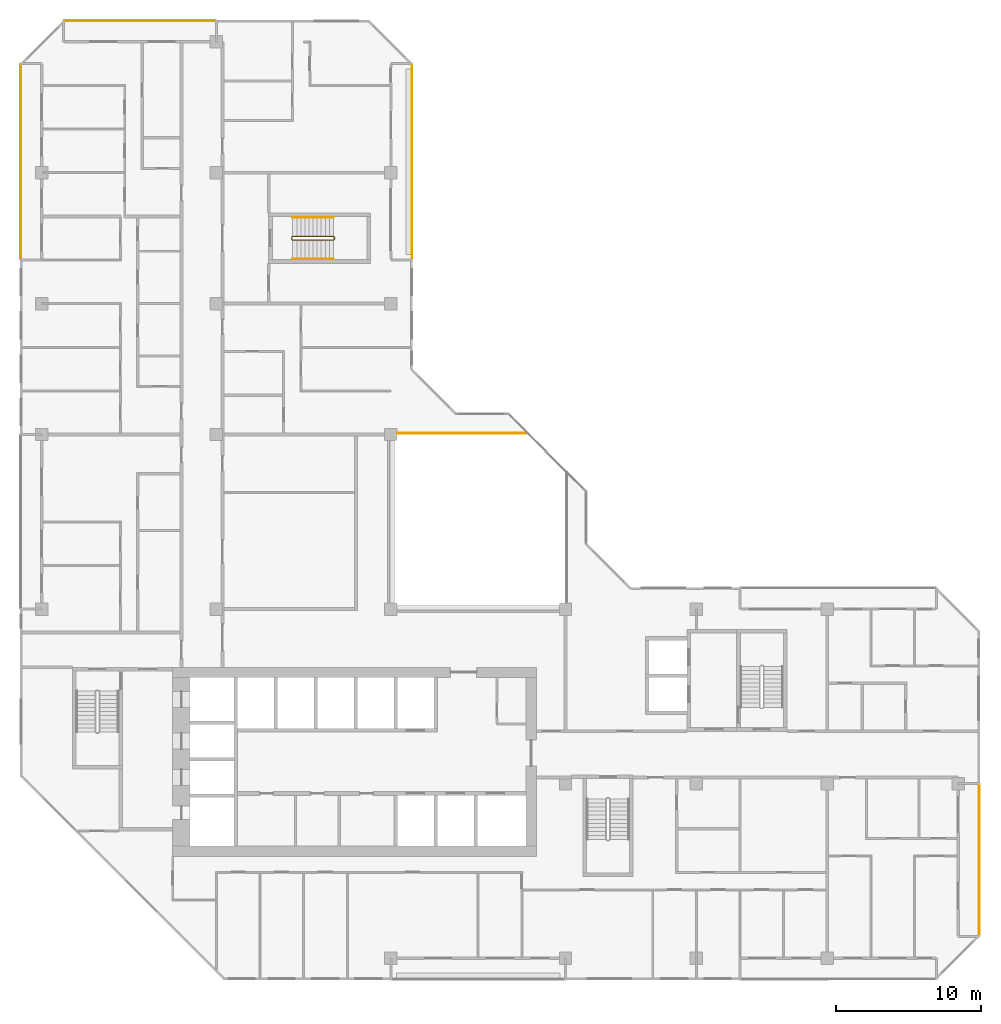
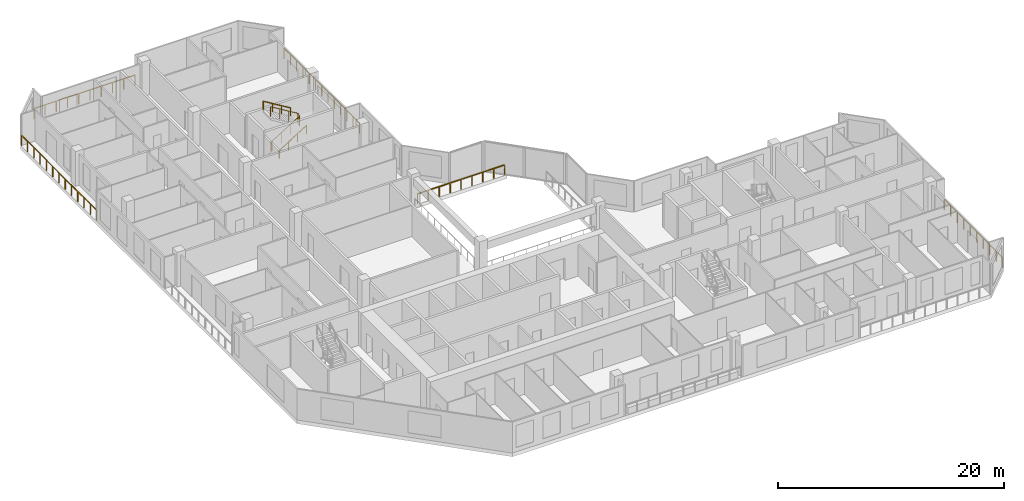
# One storey, part 16 of 16: 8 railings.
"""IFC4 building model written with IfcOpenShell, lengths in metres."""

from ifc_helpers import new_model, si_unit, direction, frame, origin, origin_2d, place, context, subcontext, project, spatial, rectangle, extrude, material, type_object, element, save


model = new_model("IFC4")

# Units and contexts
model_context = context("Model", 3, precision=1e-05, world=origin(), true_north=direction((0.0, 1.0)))
body_context = subcontext(model_context, "Body", "Model", "MODEL_VIEW")
ifc_project = project(units=[si_unit("LENGTHUNIT", "METRE"), si_unit("AREAUNIT", "SQUARE_METRE"), si_unit("VOLUMEUNIT", "CUBIC_METRE"), si_unit("PLANEANGLEUNIT", "RADIAN"), si_unit("MASSUNIT", "GRAM", prefix="KILO")], contexts=[model_context])

# Site, building, storey
site_placement = place(None, origin())
site = spatial("IfcSite", under=ifc_project, at=site_placement, CompositionType="ELEMENT")
building_placement = place(site_placement, origin())
building = spatial("IfcBuilding", under=site, at=building_placement, Name="Chenar Terraces", CompositionType="ELEMENT")
storey_placement = place(building_placement, frame((0.0, 0.0, 222.89990234375)))
storey = spatial("IfcBuildingStorey", under=building, at=storey_placement, Name="L52", CompositionType="ELEMENT", Elevation=222.89990234375)

# Railings
ifc_material_1 = material(Name="Powder-coated steel", Category="steel")
railing_type_1 = type_object("IfcRailingType", Name="Guard 1100 steel rail with glass infill", PredefinedType="GUARDRAIL", material=ifc_material_1)
railing_1_placement = place(storey_placement, frame((24.47509765625, 36.10009765625, 0.0)))
element("IfcRailing", 1, at=railing_1_placement, inside=storey, type_object=railing_type_1, Name="Guard L52-2", PredefinedType="GUARDRAIL", context=body_context, shape_type="SweptSolid", body=[
    extrude(rectangle(XDim=0.06005859375, YDim=0.06005859375, at=origin_2d()), frame((0.0, 0.0, 1.070068359375), z_axis=(1.0, 0.0, 0.0), x_axis=(0.0, 1.0, 0.0)), (0.0, 0.0, 1.0), 8.9248046875),
    extrude(rectangle(XDim=0.050048828125, YDim=0.050048828125, at=origin_2d()), origin(), (0.0, 0.0, 1.0), 1.0400390625),
    extrude(rectangle(XDim=0.050048828125, YDim=0.050048828125, at=origin_2d()), frame((1.11572265625, 0.0, 0.0)), (0.0, 0.0, 1.0), 1.0400390625),
    extrude(rectangle(XDim=0.050048828125, YDim=0.050048828125, at=origin_2d()), frame((2.231201171875, 0.0, 0.0)), (0.0, 0.0, 1.0), 1.0400390625),
    extrude(rectangle(XDim=0.050048828125, YDim=0.050048828125, at=origin_2d()), frame((3.3466796875, 0.0, 0.0)), (0.0, 0.0, 1.0), 1.0400390625),
    extrude(rectangle(XDim=0.050048828125, YDim=0.050048828125, at=origin_2d()), frame((4.46240234375, 0.0, 0.0)), (0.0, 0.0, 1.0), 1.0400390625),
    extrude(rectangle(XDim=0.050048828125, YDim=0.050048828125, at=origin_2d()), frame((5.578125, 0.0, 0.0)), (0.0, 0.0, 1.0), 1.0400390625),
    extrude(rectangle(XDim=0.050048828125, YDim=0.050048828125, at=origin_2d()), frame((6.693603515625, 0.0, 0.0)), (0.0, 0.0, 1.0), 1.0400390625),
    extrude(rectangle(XDim=0.050048828125, YDim=0.050048828125, at=origin_2d()), frame((7.80908203125, 0.0, 0.0)), (0.0, 0.0, 1.0), 1.0400390625),
    extrude(rectangle(XDim=0.050048828125, YDim=0.050048828125, at=origin_2d()), frame((8.9248046875, 0.0, 0.0)), (0.0, 0.0, 1.0), 1.0400390625),
])
ifc_material_2 = material(Name="Stainless steel and glass", Category="steel")
railing_type_2 = type_object("IfcRailingType", Name="Loggia guard 1150", PredefinedType="GUARDRAIL", material=ifc_material_2)
railing_2_placement = place(storey_placement, frame((25.449951171875, 48.074951171875, 0.0)))
element("IfcRailing", 2, at=railing_2_placement, inside=storey, type_object=railing_type_2, Name="Loggia guard", PredefinedType="GUARDRAIL", context=body_context, shape_type="SweptSolid", body=[
    extrude(rectangle(XDim=0.048095703125, YDim=0.048095703125, at=origin_2d()), frame((0.0, 0.0, 1.1259765625), z_axis=(0.0, 1.0, 0.0), x_axis=(-1.0, 0.0, 0.0)), (0.0, 0.0, 1.0), 13.35009765625),
    extrude(rectangle(XDim=0.0419921875, YDim=0.0419921875, at=origin_2d()), origin(), (0.0, 0.0, 1.0), 1.101806640625),
    extrude(rectangle(XDim=0.0419921875, YDim=0.0419921875, at=origin_2d()), frame((0.0, 1.112548828125, 0.0)), (0.0, 0.0, 1.0), 1.101806640625),
    extrude(rectangle(XDim=0.0419921875, YDim=0.0419921875, at=origin_2d()), frame((0.0, 2.22509765625, 0.0)), (0.0, 0.0, 1.0), 1.101806640625),
    extrude(rectangle(XDim=0.0419921875, YDim=0.0419921875, at=origin_2d()), frame((0.0, 3.33740234375, 0.0)), (0.0, 0.0, 1.0), 1.101806640625),
    extrude(rectangle(XDim=0.0419921875, YDim=0.0419921875, at=origin_2d()), frame((0.0, 4.449951171875, 0.0)), (0.0, 0.0, 1.0), 1.101806640625),
    extrude(rectangle(XDim=0.0419921875, YDim=0.0419921875, at=origin_2d()), frame((0.0, 5.5625, 0.0)), (0.0, 0.0, 1.0), 1.101806640625),
    extrude(rectangle(XDim=0.0419921875, YDim=0.0419921875, at=origin_2d()), frame((0.0, 6.675048828125, 0.0)), (0.0, 0.0, 1.0), 1.101806640625),
    extrude(rectangle(XDim=0.0419921875, YDim=0.0419921875, at=origin_2d()), frame((0.0, 7.78759765625, 0.0)), (0.0, 0.0, 1.0), 1.101806640625),
    extrude(rectangle(XDim=0.0419921875, YDim=0.0419921875, at=origin_2d()), frame((0.0, 8.900146484375, 0.0)), (0.0, 0.0, 1.0), 1.101806640625),
    extrude(rectangle(XDim=0.0419921875, YDim=0.0419921875, at=origin_2d()), frame((0.0, 10.0126953125, 0.0)), (0.0, 0.0, 1.0), 1.101806640625),
    extrude(rectangle(XDim=0.0419921875, YDim=0.0419921875, at=origin_2d()), frame((0.0, 11.125, 0.0)), (0.0, 0.0, 1.0), 1.101806640625),
    extrude(rectangle(XDim=0.0419921875, YDim=0.0419921875, at=origin_2d()), frame((0.0, 12.237548828125, 0.0)), (0.0, 0.0, 1.0), 1.101806640625),
    extrude(rectangle(XDim=0.0419921875, YDim=0.0419921875, at=origin_2d()), frame((0.0, 13.35009765625, 0.0)), (0.0, 0.0, 1.0), 1.101806640625),
])
railing_3_placement = place(storey_placement, frame((64.449951171875, 1.574951171875, 0.0)))
element("IfcRailing", 3, at=railing_3_placement, inside=storey, type_object=railing_type_2, Name="Loggia guard", PredefinedType="GUARDRAIL", context=body_context, shape_type="SweptSolid", body=[
    extrude(rectangle(XDim=0.048095703125, YDim=0.048095703125, at=origin_2d()), frame((0.0, 0.0, 1.1259765625), z_axis=(0.0, 1.0, 0.0), x_axis=(-1.0, 0.0, 0.0)), (0.0, 0.0, 1.0), 10.35009765625),
    extrude(rectangle(XDim=0.0419921875, YDim=0.0419921875, at=origin_2d()), origin(), (0.0, 0.0, 1.0), 1.101806640625),
    extrude(rectangle(XDim=0.0419921875, YDim=0.0419921875, at=origin_2d()), frame((0.0, 1.14990234375, 0.0)), (0.0, 0.0, 1.0), 1.101806640625),
    extrude(rectangle(XDim=0.0419921875, YDim=0.0419921875, at=origin_2d()), frame((0.0, 2.300048828125, 0.0)), (0.0, 0.0, 1.0), 1.101806640625),
    extrude(rectangle(XDim=0.0419921875, YDim=0.0419921875, at=origin_2d()), frame((0.0, 3.449951171875, 0.0)), (0.0, 0.0, 1.0), 1.101806640625),
    extrude(rectangle(XDim=0.0419921875, YDim=0.0419921875, at=origin_2d()), frame((0.0, 4.60009765625, 0.0)), (0.0, 0.0, 1.0), 1.101806640625),
    extrude(rectangle(XDim=0.0419921875, YDim=0.0419921875, at=origin_2d()), frame((0.0, 5.75, 0.0)), (0.0, 0.0, 1.0), 1.101806640625),
    extrude(rectangle(XDim=0.0419921875, YDim=0.0419921875, at=origin_2d()), frame((0.0, 6.900146484375, 0.0)), (0.0, 0.0, 1.0), 1.101806640625),
    extrude(rectangle(XDim=0.0419921875, YDim=0.0419921875, at=origin_2d()), frame((0.0, 8.050048828125, 0.0)), (0.0, 0.0, 1.0), 1.101806640625),
    extrude(rectangle(XDim=0.0419921875, YDim=0.0419921875, at=origin_2d()), frame((0.0, 9.2001953125, 0.0)), (0.0, 0.0, 1.0), 1.101806640625),
    extrude(rectangle(XDim=0.0419921875, YDim=0.0419921875, at=origin_2d()), frame((0.0, 10.35009765625, 0.0)), (0.0, 0.0, 1.0), 1.101806640625),
])
railing_4_placement = place(storey_placement, frame((11.925048828125, 64.449951171875, 0.0)))
element("IfcRailing", 4, at=railing_4_placement, inside=storey, type_object=railing_type_2, Name="Loggia guard", PredefinedType="GUARDRAIL", context=body_context, shape_type="SweptSolid", body=[
    extrude(rectangle(XDim=0.048095703125, YDim=0.048095703125, at=origin_2d()), frame((0.0, 0.0, 1.1259765625), z_axis=(-1.0, 0.0, 0.0), x_axis=(0.0, -1.0, 0.0)), (0.0, 0.0, 1.0), 10.35009765625),
    extrude(rectangle(XDim=0.0419921875, YDim=0.0419921875, at=origin_2d()), origin(), (0.0, 0.0, 1.0), 1.101806640625),
    extrude(rectangle(XDim=0.0419921875, YDim=0.0419921875, at=origin_2d()), frame((-1.14990234375, 0.0, 0.0)), (0.0, 0.0, 1.0), 1.101806640625),
    extrude(rectangle(XDim=0.0419921875, YDim=0.0419921875, at=origin_2d()), frame((-2.300048828125, 0.0, 0.0)), (0.0, 0.0, 1.0), 1.101806640625),
    extrude(rectangle(XDim=0.0419921875, YDim=0.0419921875, at=origin_2d()), frame((-3.449951171875, 0.0, 0.0)), (0.0, 0.0, 1.0), 1.101806640625),
    extrude(rectangle(XDim=0.0419921875, YDim=0.0419921875, at=origin_2d()), frame((-4.60009765625, 0.0, 0.0)), (0.0, 0.0, 1.0), 1.101806640625),
    extrude(rectangle(XDim=0.0419921875, YDim=0.0419921875, at=origin_2d()), frame((-5.75, 0.0, 0.0)), (0.0, 0.0, 1.0), 1.101806640625),
    extrude(rectangle(XDim=0.0419921875, YDim=0.0419921875, at=origin_2d()), frame((-6.900146484375, 0.0, 0.0)), (0.0, 0.0, 1.0), 1.101806640625),
    extrude(rectangle(XDim=0.0419921875, YDim=0.0419921875, at=origin_2d()), frame((-8.050048828125, 0.0, 0.0)), (0.0, 0.0, 1.0), 1.101806640625),
    extrude(rectangle(XDim=0.0419921875, YDim=0.0419921875, at=origin_2d()), frame((-9.2001953125, 0.0, 0.0)), (0.0, 0.0, 1.0), 1.101806640625),
    extrude(rectangle(XDim=0.0419921875, YDim=0.0419921875, at=origin_2d()), frame((-10.35009765625, 0.0, 0.0)), (0.0, 0.0, 1.0), 1.101806640625),
])
railing_5_placement = place(storey_placement, frame((-1.449951171875, 61.425048828125, 0.0)))
element("IfcRailing", 5, at=railing_5_placement, inside=storey, type_object=railing_type_2, Name="Loggia guard", PredefinedType="GUARDRAIL", context=body_context, shape_type="SweptSolid", body=[
    extrude(rectangle(XDim=0.048095703125, YDim=0.048095703125, at=origin_2d()), frame((0.0, 0.0, 1.1259765625), z_axis=(0.0, -1.0, 0.0), x_axis=(1.0, 0.0, 0.0)), (0.0, 0.0, 1.0), 13.35009765625),
    extrude(rectangle(XDim=0.0419921875, YDim=0.0419921875, at=origin_2d()), origin(), (0.0, 0.0, 1.0), 1.101806640625),
    extrude(rectangle(XDim=0.0419921875, YDim=0.0419921875, at=origin_2d()), frame((0.0, -1.112548828125, 0.0)), (0.0, 0.0, 1.0), 1.101806640625),
    extrude(rectangle(XDim=0.0419921875, YDim=0.0419921875, at=origin_2d()), frame((0.0, -2.22509765625, 0.0)), (0.0, 0.0, 1.0), 1.101806640625),
    extrude(rectangle(XDim=0.0419921875, YDim=0.0419921875, at=origin_2d()), frame((0.0, -3.33740234375, 0.0)), (0.0, 0.0, 1.0), 1.101806640625),
    extrude(rectangle(XDim=0.0419921875, YDim=0.0419921875, at=origin_2d()), frame((0.0, -4.449951171875, 0.0)), (0.0, 0.0, 1.0), 1.101806640625),
    extrude(rectangle(XDim=0.0419921875, YDim=0.0419921875, at=origin_2d()), frame((0.0, -5.5625, 0.0)), (0.0, 0.0, 1.0), 1.101806640625),
    extrude(rectangle(XDim=0.0419921875, YDim=0.0419921875, at=origin_2d()), frame((0.0, -6.675048828125, 0.0)), (0.0, 0.0, 1.0), 1.101806640625),
    extrude(rectangle(XDim=0.0419921875, YDim=0.0419921875, at=origin_2d()), frame((0.0, -7.78759765625, 0.0)), (0.0, 0.0, 1.0), 1.101806640625),
    extrude(rectangle(XDim=0.0419921875, YDim=0.0419921875, at=origin_2d()), frame((0.0, -8.900146484375, 0.0)), (0.0, 0.0, 1.0), 1.101806640625),
    extrude(rectangle(XDim=0.0419921875, YDim=0.0419921875, at=origin_2d()), frame((0.0, -10.0126953125, 0.0)), (0.0, 0.0, 1.0), 1.101806640625),
    extrude(rectangle(XDim=0.0419921875, YDim=0.0419921875, at=origin_2d()), frame((0.0, -11.125, 0.0)), (0.0, 0.0, 1.0), 1.101806640625),
    extrude(rectangle(XDim=0.0419921875, YDim=0.0419921875, at=origin_2d()), frame((0.0, -12.237548828125, 0.0)), (0.0, 0.0, 1.0), 1.101806640625),
    extrude(rectangle(XDim=0.0419921875, YDim=0.0419921875, at=origin_2d()), frame((0.0, -13.35009765625, 0.0)), (0.0, 0.0, 1.0), 1.101806640625),
])
ifc_material_3 = material(Name="Powder-coated steel", Category="steel")
railing_type_3 = type_object("IfcRailingType", Name="Stair guard 1100", PredefinedType="GUARDRAIL", material=ifc_material_3)
railing_6_placement = place(storey_placement, frame((17.25, 49.625, 3.75)))
element("IfcRailing", 6, at=railing_6_placement, inside=storey, type_object=railing_type_3, Name="L52 ST4 stair guard 1", PredefinedType="GUARDRAIL", context=body_context, shape_type="SweptSolid", body=[
    extrude(rectangle(XDim=0.048095703125, YDim=0.048095703125, at=origin_2d()), frame((0.0, 0.0, 1.076171875), z_axis=(0.854202870247, 0.0, -0.519939858505), x_axis=(0.0, 1.0, 0.0)), (0.0, 0.0, 1.0), 3.278076171875),
    extrude(rectangle(XDim=0.048095703125, YDim=0.048095703125, at=origin_2d()), frame((2.800048828125, 0.0, -0.62841796875), z_axis=(0.270899902878, -0.270899902878, -0.923702595667), x_axis=(0.707106781187, 0.707106781187, 0.0)), (0.0, 0.0, 1.0), 0.184814453125),
    extrude(rectangle(XDim=0.048095703125, YDim=0.048095703125, at=origin_2d()), frame((2.85009765625, -0.050048828125, -0.798828125), z_axis=(0.0, -1.0, 0.0), x_axis=(1.0, 0.0, 0.0)), (0.0, 0.0, 1.0), 0.14990234375),
    extrude(rectangle(XDim=0.048095703125, YDim=0.048095703125, at=origin_2d()), frame((2.85009765625, -0.199951171875, -0.798828125), z_axis=(-0.707106781187, -0.707106781187, 0.0), x_axis=(0.707106781187, -0.707106781187, 0.0)), (0.0, 0.0, 1.0), 0.07080078125),
    extrude(rectangle(XDim=0.048095703125, YDim=0.048095703125, at=origin_2d()), frame((2.800048828125, -0.25, -0.798828125), z_axis=(-0.854202870247, 0.0, -0.519939858505), x_axis=(0.0, -1.0, 0.0)), (0.0, 0.0, 1.0), 3.278076171875),
    extrude(rectangle(XDim=0.048095703125, YDim=0.048095703125, at=origin_2d()), frame((0.0, -0.25, -2.50341796875), z_axis=(-0.270899902878, 0.270899902878, -0.923702595667), x_axis=(-0.707106781187, -0.707106781187, 0.0)), (0.0, 0.0, 1.0), 0.184814453125),
    extrude(rectangle(XDim=0.048095703125, YDim=0.048095703125, at=origin_2d()), frame((-0.050048828125, -0.199951171875, -2.673828125), z_axis=(0.0, 1.0, 0.0), x_axis=(-1.0, 0.0, 0.0)), (0.0, 0.0, 1.0), 0.14990234375),
    extrude(rectangle(XDim=0.0419921875, YDim=0.0419921875, at=origin_2d()), origin(), (0.0, 0.0, 1.0), 1.052001953125),
    extrude(rectangle(XDim=0.0419921875, YDim=0.0419921875, at=origin_2d()), frame((0.933349609375, 0.0, -0.568115234375)), (0.0, 0.0, 1.0), 1.052001953125),
    extrude(rectangle(XDim=0.0419921875, YDim=0.0419921875, at=origin_2d()), frame((1.86669921875, 0.0, -1.13623046875)), (0.0, 0.0, 1.0), 1.052001953125),
    extrude(rectangle(XDim=0.0419921875, YDim=0.0419921875, at=origin_2d()), frame((2.800048828125, 0.0, -1.704345703125)), (0.0, 0.0, 1.0), 1.052001953125),
    extrude(rectangle(XDim=0.0419921875, YDim=0.0419921875, at=origin_2d()), frame((2.85009765625, -0.050048828125, -1.875)), (0.0, 0.0, 1.0), 1.052001953125),
    extrude(rectangle(XDim=0.0419921875, YDim=0.0419921875, at=origin_2d()), frame((2.85009765625, -0.199951171875, -1.875)), (0.0, 0.0, 1.0), 1.052001953125),
    extrude(rectangle(XDim=0.0419921875, YDim=0.0419921875, at=origin_2d()), frame((2.800048828125, -0.25, -1.875)), (0.0, 0.0, 1.0), 1.052001953125),
    extrude(rectangle(XDim=0.0419921875, YDim=0.0419921875, at=origin_2d()), frame((1.86669921875, -0.25, -2.443115234375)), (0.0, 0.0, 1.0), 1.052001953125),
    extrude(rectangle(XDim=0.0419921875, YDim=0.0419921875, at=origin_2d()), frame((0.933349609375, -0.25, -3.01123046875)), (0.0, 0.0, 1.0), 1.052001953125),
    extrude(rectangle(XDim=0.0419921875, YDim=0.0419921875, at=origin_2d()), frame((0.0, -0.25, -3.579345703125)), (0.0, 0.0, 1.0), 1.052001953125),
    extrude(rectangle(XDim=0.0419921875, YDim=0.0419921875, at=origin_2d()), frame((-0.050048828125, -0.199951171875, -3.75)), (0.0, 0.0, 1.0), 1.052001953125),
    extrude(rectangle(XDim=0.0419921875, YDim=0.0419921875, at=origin_2d()), frame((-0.050048828125, -0.050048828125, -3.75)), (0.0, 0.0, 1.0), 1.052001953125),
])
ifc_material_4 = material(Name="Powder-coated steel", Category="steel")
railing_type_4 = type_object("IfcRailingType", Name="Stair handrail 900", PredefinedType="HANDRAIL", material=ifc_material_4)
railing_7_placement = place(storey_placement, frame((17.25, 48.074951171875, 0.170654296875)))
element("IfcRailing", 7, at=railing_7_placement, inside=storey, type_object=railing_type_4, Name="L52 ST4 stair handrail 1", PredefinedType="HANDRAIL", context=body_context, shape_type="SweptSolid", body=[
    extrude(rectangle(XDim=0.048095703125, YDim=0.048095703125, at=origin_2d()), frame((0.0, 0.0, 0.8759765625), z_axis=(0.854202870247, 0.0, 0.519939858505), x_axis=(0.0, 1.0, 0.0)), (0.0, 0.0, 1.0), 3.278076171875),
    extrude(rectangle(XDim=0.0419921875, YDim=0.0419921875, at=origin_2d()), origin(), (0.0, 0.0, 1.0), 0.851806640625),
    extrude(rectangle(XDim=0.0419921875, YDim=0.0419921875, at=origin_2d()), frame((0.933349609375, 0.0, 0.568115234375)), (0.0, 0.0, 1.0), 0.851806640625),
    extrude(rectangle(XDim=0.0419921875, YDim=0.0419921875, at=origin_2d()), frame((1.86669921875, 0.0, 1.13623046875)), (0.0, 0.0, 1.0), 0.851806640625),
    extrude(rectangle(XDim=0.0419921875, YDim=0.0419921875, at=origin_2d()), frame((2.800048828125, 0.0, 1.704345703125)), (0.0, 0.0, 1.0), 0.851806640625),
])
railing_8_placement = place(storey_placement, frame((20.050048828125, 50.925048828125, 2.045654296875)))
element("IfcRailing", 8, at=railing_8_placement, inside=storey, type_object=railing_type_4, Name="L52 ST4 stair handrail 2", PredefinedType="HANDRAIL", context=body_context, shape_type="SweptSolid", body=[
    extrude(rectangle(XDim=0.048095703125, YDim=0.048095703125, at=origin_2d()), frame((0.0, 0.0, 0.8759765625), z_axis=(-0.854202870247, 0.0, 0.519939858505), x_axis=(0.0, -1.0, 0.0)), (0.0, 0.0, 1.0), 3.278076171875),
    extrude(rectangle(XDim=0.0419921875, YDim=0.0419921875, at=origin_2d()), origin(), (0.0, 0.0, 1.0), 0.851806640625),
    extrude(rectangle(XDim=0.0419921875, YDim=0.0419921875, at=origin_2d()), frame((-0.933349609375, 0.0, 0.568115234375)), (0.0, 0.0, 1.0), 0.851806640625),
    extrude(rectangle(XDim=0.0419921875, YDim=0.0419921875, at=origin_2d()), frame((-1.86669921875, 0.0, 1.13623046875)), (0.0, 0.0, 1.0), 0.851806640625),
    extrude(rectangle(XDim=0.0419921875, YDim=0.0419921875, at=origin_2d()), frame((-2.800048828125, 0.0, 1.704345703125)), (0.0, 0.0, 1.0), 0.851806640625),
])

save(model, "model.ifc")
